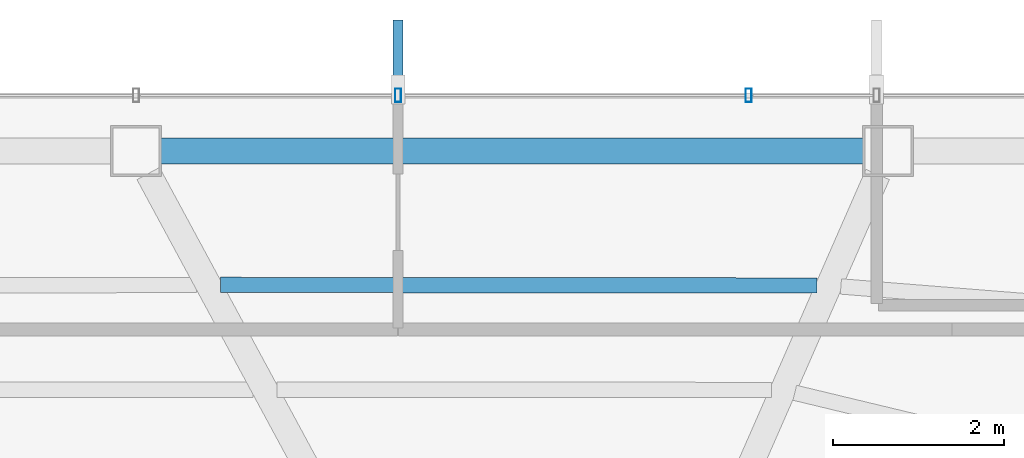
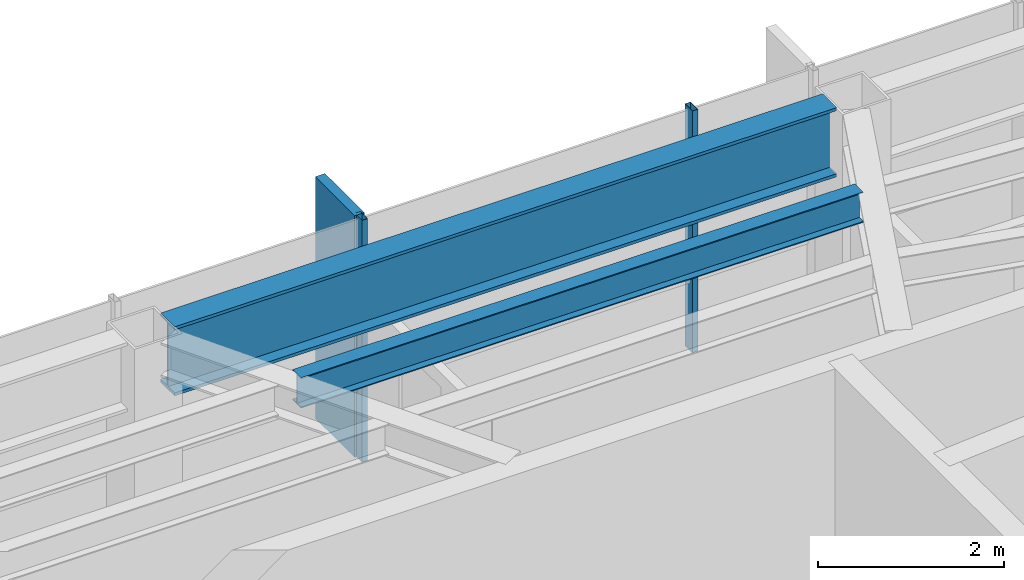
# One storey, part 16 of 28: 3 members, 2 beams, 1 element without a shape of its own.
"""IFC4 building model written with IfcOpenShell, lengths in metres."""

from ifc_helpers import new_model, si_unit, direction, frame, origin, origin_2d, place, context, subcontext, project, spatial, rectangle, hollow_rectangle, i_section, extrude, material, layer, layer_set, material_profile, profile_set, type_object, element, aggregate, save


model = new_model("IFC4")

# Units and contexts
model_context = context("Model", 3, precision=1e-05, world=origin(), true_north=direction((0.0, 1.0)))
body_context = subcontext(model_context, "Body", "Model", "MODEL_VIEW")
ifc_project = project(units=[si_unit("LENGTHUNIT", "METRE"), si_unit("AREAUNIT", "SQUARE_METRE"), si_unit("VOLUMEUNIT", "CUBIC_METRE"), si_unit("PLANEANGLEUNIT", "RADIAN"), si_unit("MASSUNIT", "GRAM", prefix="KILO")], contexts=[model_context])

# Site, building, storey
site_placement = place(None, origin())
site = spatial("IfcSite", under=ifc_project, at=site_placement, CompositionType="ELEMENT")
building_placement = place(site_placement, origin())
building = spatial("IfcBuilding", under=site, at=building_placement, Name="Zarrinselat Tower", CompositionType="ELEMENT")
storey_placement = place(building_placement, frame((0.0, 0.0, 218.9599609375)))
storey = spatial("IfcBuildingStorey", under=building, at=storey_placement, Name="L54", CompositionType="ELEMENT", Elevation=218.9599609375)

# Beams
ifc_material_1 = material(Name="Steel S460M", Category="steel")
ifc_material_profile_1 = material_profile(ifc_material_1, i_section(OverallWidth=0.302001953125, OverallDepth=0.909912109375, WebThickness=0.02099609375, FlangeThickness=0.0400390625, at=origin_2d()), Name="HEM 900")
ifc_profile_set_1 = profile_set([ifc_material_profile_1], Name="Steel S460M")
beam_type_1 = type_object("IfcBeamType", Name="BM-HEM900", PredefinedType="BEAM", material=ifc_profile_set_1)
beam_1_placement = place(storey_placement, frame((39.0703125, 47.644287109375, 2.72509765625), z_axis=(1.0, 0.0, 0.0), x_axis=(0.0, 1.0, 0.0)))
element("IfcBeam", 1, at=beam_1_placement, inside=storey, type_object=beam_type_1, Name="L54 Perimeter Spandrel Girder SP02", PredefinedType="BEAM", context=body_context, shape_type="SweptSolid", body=[
    extrude(i_section(OverallWidth=0.302001953125, OverallDepth=0.909912109375, WebThickness=0.02099609375, FlangeThickness=0.0400390625, at=origin_2d()), origin(), (0.0, 0.0, 1.0), 8.240966796875),
])
ifc_material_2 = material(Name="Steel S355J2", Category="steel")
ifc_material_profile_2 = material_profile(ifc_material_2, i_section(OverallWidth=0.179931640625, OverallDepth=0.39990234375, WebThickness=0.008544921875, FlangeThickness=0.013427734375, at=origin_2d()), Name="IPE 400")
ifc_profile_set_2 = profile_set([ifc_material_profile_2], Name="Steel S355J2")
beam_type_2 = type_object("IfcBeamType", Name="BM-IPE400", PredefinedType="JOIST", material=ifc_profile_set_2)
beam_2_placement = place(storey_placement, frame((39.771240234375, 46.073486328125, 2.97998046875), z_axis=(0.99999948796, -0.001011968634, 0.0), x_axis=(0.001011968634, 0.99999948796, 0.0)))
element("IfcBeam", 2, at=beam_2_placement, inside=storey, type_object=beam_type_2, Name="L54 Composite Floor Joist 7-1", PredefinedType="JOIST", context=body_context, shape_type="SweptSolid", body=[
    extrude(i_section(OverallWidth=0.179931640625, OverallDepth=0.39990234375, WebThickness=0.008544921875, FlangeThickness=0.013427734375, at=origin_2d()), origin(), (0.0, 0.0, 1.0), 6.996337890625),
])

# Curtain wall, members
ifc_material_3 = material(Name="Extruded Aluminium Alloy EN AW-6063 T6", Category="aluminium")
ifc_layer = layer(ifc_material_3, 0.169921875)
ifc_layer_set = layer_set([ifc_layer], Name="Extruded Aluminium Alloy EN AW-6063 T6")
curtain_wall_type = type_object("IfcCurtainWallType", Name="CWS-RES", PredefinedType="NOTDEFINED", material=ifc_layer_set)
curtain_wall_placement = place(storey_placement, origin())
curtain_wall = element("IfcCurtainWall", 3, at=curtain_wall_placement, inside=storey, type_object=curtain_wall_type, Name="L54 Unitised Curtain Wall CW-L54-E01", PredefinedType="NOTDEFINED")
ifc_material_4 = material(Name="Extruded Aluminium Alloy EN AW-6063 T6", Category="aluminium")
ifc_material_profile_3 = material_profile(ifc_material_4, hollow_rectangle(XDim=0.070068359375, YDim=0.159912109375, WallThickness=0.00390625, at=origin_2d()), Name="RHS 160x70x4")
ifc_profile_set_3 = profile_set([ifc_material_profile_3], Name="Extruded Aluminium Alloy EN AW-6063 T6")
member_type_1 = type_object("IfcMemberType", Name="MEM-CW-MUL2", PredefinedType="MULLION", material=ifc_profile_set_3)
member_1_placement = place(storey_placement, frame((45.965087890625, 48.29443359375, 0.0), z_axis=(0.0, 0.0, 1.0), x_axis=(-1.0, 0.0, 0.0)))
member_1 = element("IfcMember", 4, at=member_1_placement, type_object=member_type_1, Name="CW-L54-E01 Mullion 4", PredefinedType="MULLION", context=body_context, shape_type="SweptSolid", body=[
    extrude(hollow_rectangle(XDim=0.070068359375, YDim=0.159912109375, WallThickness=0.00390625, at=origin_2d()), origin(), (0.0, 0.0, 1.0), 3.179931640625),
])
member_2_placement = place(storey_placement, frame((41.855224609375, 48.29443359375, 0.0), z_axis=(0.0, 0.0, 1.0), x_axis=(-1.0, 0.0, 0.0)))
member_2 = element("IfcMember", 5, at=member_2_placement, type_object=member_type_1, Name="CW-L54-E01 Mullion 5", PredefinedType="MULLION", context=body_context, shape_type="SweptSolid", body=[
    extrude(hollow_rectangle(XDim=0.070068359375, YDim=0.159912109375, WallThickness=0.00390625, at=origin_2d()), origin(), (0.0, 0.0, 1.0), 3.179931640625),
])
ifc_material_5 = material(Name="Honed Cream Travertine Stone", Category="masonry")
ifc_material_profile_4 = material_profile(ifc_material_5, rectangle(XDim=0.1201171875, YDim=0.85009765625, at=origin_2d()), Name="FIN 850x120")
ifc_profile_set_4 = profile_set([ifc_material_profile_4], Name="Honed Cream Travertine Stone")
member_type_2 = type_object("IfcMemberType", Name="MEM-STONE-FIN", PredefinedType="USERDEFINED", material=ifc_profile_set_4)
member_3_placement = place(storey_placement, frame((41.855224609375, 48.75439453125, 0.0), z_axis=(0.0, 0.0, 1.0), x_axis=(1.0, 0.0, 0.0)))
member_3 = element("IfcMember", 6, at=member_3_placement, type_object=member_type_2, Name="L54 Stone Shading Fin CW-L54-E01-05", ObjectType="FIN", PredefinedType="USERDEFINED", context=body_context, shape_type="SweptSolid", body=[
    extrude(rectangle(XDim=0.1201171875, YDim=0.85009765625, at=origin_2d()), origin(), (0.0, 0.0, 1.0), 3.179931640625),
])
aggregate(curtain_wall, [member_1, member_2, member_3])

save(model, "model.ifc")
